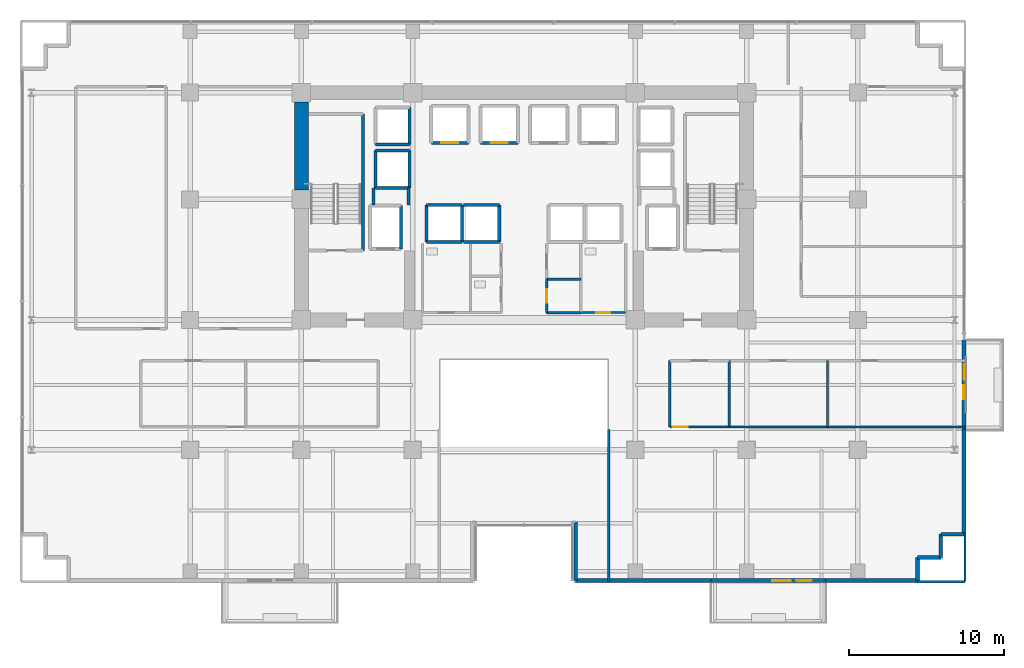
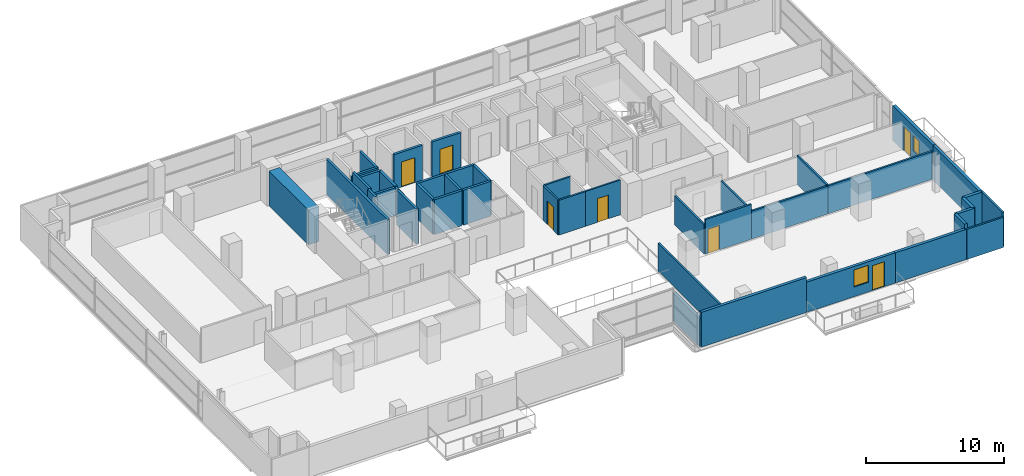
# One storey, part 23 of 30: 43 walls, 7 doors, 2 windows, 9 openings.
"""IFC4 building model written with IfcOpenShell, lengths in metres."""

from ifc_helpers import new_model, si_unit, direction, frame, frame_2d, origin, place, context, subcontext, project, spatial, rectangle, extrude, source, transform, mapped, material, layer, layer_set, type_object, element, fill, save


model = new_model("IFC4")

# Units and contexts
model_context = context("Model", 3, precision=1e-05, world=origin(), true_north=direction((0.0, 1.0)))
body_context = subcontext(model_context, "Body", "Model", "MODEL_VIEW")
ifc_project = project(units=[si_unit("LENGTHUNIT", "METRE"), si_unit("AREAUNIT", "SQUARE_METRE"), si_unit("VOLUMEUNIT", "CUBIC_METRE"), si_unit("PLANEANGLEUNIT", "RADIAN"), si_unit("MASSUNIT", "GRAM", prefix="KILO")], contexts=[model_context])

# Site, building, storey
site_placement = place(None, origin())
site = spatial("IfcSite", under=ifc_project, at=site_placement, CompositionType="ELEMENT")
building_placement = place(site_placement, origin())
building = spatial("IfcBuilding", under=site, at=building_placement, Name="Zarnakvel Exchange Tower", CompositionType="ELEMENT")
storey_placement = place(building_placement, frame((0.0, 0.0, 43.89990234375)))
storey = spatial("IfcBuildingStorey", under=building, at=storey_placement, Name="L11", CompositionType="ELEMENT", Elevation=43.89990234375)

# Wall
ifc_material_1 = material(Name="Concrete C80/95", Category="concrete")
ifc_layer_1 = layer(ifc_material_1, 0.89990234375)
ifc_layer_set_1 = layer_set([ifc_layer_1], Name="Concrete C80/95")
wall_type_1 = type_object("IfcWallType", Name="CW-C1", PredefinedType="SHEAR", material=ifc_layer_set_1)
wall_1_placement = place(storey_placement, frame((-14.39990234375, 7.199951171875, 0.0), z_axis=(0.0, 0.0, 1.0), x_axis=(0.0, 1.0, 0.0)))
element("IfcWall", 1, at=wall_1_placement, inside=storey, type_object=wall_type_1, Name="L11 Rear Core Shear Wall W2 (CW-C1)", PredefinedType="SHEAR", context=body_context, shape_type="SweptSolid", body=[
    extrude(rectangle(XDim=5.699951171875, YDim=0.89990234375, at=frame_2d((2.85009765625, 0.0))), origin(), (0.0, 0.0, 1.0), 3.0751953125),
])

# Wall, openings, door, window
ifc_material_2 = material(Name="Precast concrete C40/50", Category="concrete")
ifc_layer_2 = layer(ifc_material_2, 0.239990234375)
ifc_layer_set_2 = layer_set([ifc_layer_2], Name="Precast concrete C40/50")
wall_type_2 = type_object("IfcWallType", Name="EW-02", PredefinedType="SOLIDWALL", material=ifc_layer_set_2)
wall_2_placement = place(storey_placement, frame((19.5, -18.06005859375, 0.0), z_axis=(0.0, 0.0, 1.0), x_axis=(-1.0, 0.0, 0.0)))
wall_2 = element("IfcWall", 2, at=wall_2_placement, inside=storey, type_object=wall_type_2, Name="L11 Exterior Precast Spandrel Wall EW-BAL-L11-SE (EW-02)", PredefinedType="SOLIDWALL", context=body_context, shape_type="SweptSolid", body=[
    extrude(rectangle(XDim=7.39990234375, YDim=0.239990234375, at=frame_2d((3.699951171875, 0.0))), origin(), (0.0, 0.0, 1.0), 2.6650390625),
])
opening_1_placement = place(wall_2_placement, frame((0.887939453125, 0.0, 0.0)))
opening_1 = element("IfcOpeningElement", 3, at=opening_1_placement, cuts=wall_2, Name="Opening BD-L11-02", PredefinedType="OPENING", context=body_context, shape_type="SweptSolid", body=[
    extrude(rectangle(XDim=1.0, YDim=2.199951171875, at=frame_2d((0.5, 1.10009765625))), frame((0.0, 0.1298828125, 0.0), z_axis=(0.0, -1.0, 0.0), x_axis=(1.0, 0.0, 0.0)), (0.0, 0.0, 1.0), 0.260009765625),
])
opening_2_placement = place(wall_2_placement, frame((2.238037109375, 0.0, 0.85009765625)))
opening_2 = element("IfcOpeningElement", 4, at=opening_2_placement, cuts=wall_2, Name="Opening WN-04", PredefinedType="OPENING", context=body_context, shape_type="SweptSolid", body=[
    extrude(rectangle(XDim=1.199951171875, YDim=1.5, at=frame_2d((0.60009765625, 0.75))), frame((0.0, 0.1298828125, 0.0), z_axis=(0.0, -1.0, 0.0), x_axis=(1.0, 0.0, 0.0)), (0.0, 0.0, 1.0), 0.260009765625),
])
ifc_material_3 = material(Name="Architectural Bronze Anodised Aluminium", Category="aluminium")
door_type_1 = type_object("IfcDoorType", Name="DT-09", OperationType="NOTDEFINED", PredefinedType="DOOR", material=ifc_material_3)
shared_shape_1 = source(origin(), body_context, "Body", "SweptSolid", [
    extrude(rectangle(XDim=1.0, YDim=2.199951171875, at=frame_2d((0.5, 1.10009765625))), frame((0.0, 0.02490234375, 0.0), z_axis=(0.0, -1.0, 0.0), x_axis=(1.0, 0.0, 0.0)), (0.0, 0.0, 1.0), 0.050048828125),
])
door_1_placement = place(opening_1_placement, origin())
door_1 = element("IfcDoor", 5, at=door_1_placement, inside=storey, type_object=door_type_1, Name="L11 Planted Loggia Balcony Door BD-L11-02", OperationType="SINGLE_SWING_RIGHT", OverallHeight=2.199951171875, OverallWidth=1.0, PredefinedType="DOOR", context=body_context, shape_type="MappedRepresentation", body=[
    mapped(shared_shape_1, transform((0.0, 0.0, 0.0), x_axis=(1.0, 0.0, 0.0), y_axis=(0.0, 1.0, 0.0), z_axis=(0.0, 0.0, 1.0), scale=1.0)),
])
fill(opening_1, door_1)
ifc_material_4 = material(Name="Double Low-E Laminated Vision Glass", Category="glass")
window_type_1 = type_object("IfcWindowType", Name="WN-04", PartitioningType="SINGLE_PANEL", PredefinedType="WINDOW", material=ifc_material_4)
shared_shape_2 = source(origin(), body_context, "Body", "SweptSolid", [
    extrude(rectangle(XDim=1.199951171875, YDim=1.5, at=frame_2d((0.60009765625, 0.75))), frame((0.0, 0.030029296875, 0.0), z_axis=(0.0, -1.0, 0.0), x_axis=(1.0, 0.0, 0.0)), (0.0, 0.0, 1.0), 0.06005859375),
])
window_1_placement = place(opening_2_placement, origin())
window_1 = element("IfcWindow", 6, at=window_1_placement, inside=storey, type_object=window_type_1, Name="L11 Loggia Daylight Window (WN-04)", OverallHeight=1.5, OverallWidth=1.199951171875, PartitioningType="SINGLE_PANEL", PredefinedType="WINDOW", context=body_context, shape_type="MappedRepresentation", body=[
    mapped(shared_shape_2, transform((0.0, 0.0, 0.0), x_axis=(1.0, 0.0, 0.0), y_axis=(0.0, 1.0, 0.0), z_axis=(0.0, 0.0, 1.0), scale=1.0)),
])
fill(opening_2, window_1)

wall_3_placement = place(storey_placement, frame((28.4599609375, -2.5, 0.0), z_axis=(0.0, 0.0, 1.0), x_axis=(0.0, -1.0, 0.0)))
wall_3 = element("IfcWall", 7, at=wall_3_placement, inside=storey, type_object=wall_type_2, Name="L11 Exterior Precast Spandrel Wall EW-BAL-L11-E (EW-02)", PredefinedType="SOLIDWALL", context=body_context, shape_type="SweptSolid", body=[
    extrude(rectangle(XDim=5.800048828125, YDim=0.239990234375, at=frame_2d((2.89990234375, 0.0))), origin(), (0.0, 0.0, 1.0), 3.0751953125),
])
opening_3_placement = place(wall_3_placement, frame((1.56591796875, 0.0, 0.0)))
opening_3 = element("IfcOpeningElement", 8, at=opening_3_placement, cuts=wall_3, Name="Opening BD-L11-03", PredefinedType="OPENING", context=body_context, shape_type="SweptSolid", body=[
    extrude(rectangle(XDim=1.0, YDim=2.199951171875, at=frame_2d((0.5, 1.10009765625))), frame((0.0, 0.1298828125, 0.0), z_axis=(0.0, -1.0, 0.0), x_axis=(1.0, 0.0, 0.0)), (0.0, 0.0, 1.0), 0.260009765625),
])
opening_4_placement = place(wall_3_placement, frame((2.916015625, 0.0, 0.85009765625)))
opening_4 = element("IfcOpeningElement", 9, at=opening_4_placement, cuts=wall_3, Name="Opening WN-06", PredefinedType="OPENING", context=body_context, shape_type="SweptSolid", body=[
    extrude(rectangle(XDim=0.89990234375, YDim=1.35009765625, at=frame_2d((0.449951171875, 0.675048828125))), frame((0.0, 0.1298828125, 0.0), z_axis=(0.0, -1.0, 0.0), x_axis=(1.0, 0.0, 0.0)), (0.0, 0.0, 1.0), 0.260009765625),
])
door_2_placement = place(opening_3_placement, origin())
door_2 = element("IfcDoor", 10, at=door_2_placement, inside=storey, type_object=door_type_1, Name="L11 Planted Loggia Balcony Door BD-L11-03", OperationType="SINGLE_SWING_LEFT", OverallHeight=2.199951171875, OverallWidth=1.0, PredefinedType="DOOR", context=body_context, shape_type="MappedRepresentation", body=[
    mapped(shared_shape_1, transform((0.0, 0.0, 0.0), x_axis=(1.0, 0.0, 0.0), y_axis=(0.0, 1.0, 0.0), z_axis=(0.0, 0.0, 1.0), scale=1.0)),
])
fill(opening_3, door_2)
window_type_2 = type_object("IfcWindowType", Name="WN-06", PartitioningType="SINGLE_PANEL", PredefinedType="WINDOW", material=ifc_material_4)
shared_shape_3 = source(origin(), body_context, "Body", "SweptSolid", [
    extrude(rectangle(XDim=0.89990234375, YDim=1.35009765625, at=frame_2d((0.449951171875, 0.675048828125))), frame((0.0, 0.030029296875, 0.0), z_axis=(0.0, -1.0, 0.0), x_axis=(1.0, 0.0, 0.0)), (0.0, 0.0, 1.0), 0.06005859375),
])
window_2_placement = place(opening_4_placement, origin())
window_2 = element("IfcWindow", 11, at=window_2_placement, inside=storey, type_object=window_type_2, Name="L11 Loggia Daylight Window (WN-06)", OverallHeight=1.35009765625, OverallWidth=0.89990234375, PartitioningType="SINGLE_PANEL", PredefinedType="WINDOW", context=body_context, shape_type="MappedRepresentation", body=[
    mapped(shared_shape_3, transform((0.0, 0.0, 0.0), x_axis=(1.0, 0.0, 0.0), y_axis=(0.0, 1.0, 0.0), z_axis=(0.0, 0.0, 1.0), scale=1.0)),
])
fill(opening_4, window_2)

# Walls
wall_4_placement = place(storey_placement, frame((28.4599609375, -15.06005859375, 0.0), z_axis=(0.0, 0.0, 1.0), x_axis=(0.0, 1.0, 0.0)))
element("IfcWall", 12, at=wall_4_placement, inside=storey, type_object=wall_type_2, Name="L11 Exterior Precast Spandrel Wall EWC-L11-10 (EW-02)", PredefinedType="SOLIDWALL", context=body_context, shape_type="SweptSolid", body=[
    extrude(rectangle(XDim=6.760009765625, YDim=0.239990234375, at=frame_2d((3.3798828125, 0.0))), origin(), (0.0, 0.0, 1.0), 3.0751953125),
])
for number, where, z_axis, x_axis, name in (
    (13, (26.9599609375, -15.06005859375, 0.0), (0.0, 0.0, 1.0), (1.0, 0.0, 0.0), "L11 Exterior Precast Spandrel Wall EWC-L11-11 (EW-02)"),
    (14, (26.9599609375, -16.56005859375, 0.0), (0.0, 0.0, 1.0), (0.0, 1.0, 0.0), "L11 Exterior Precast Spandrel Wall EWC-L11-12 (EW-02)"),
    (15, (25.4599609375, -16.56005859375, 0.0), (0.0, 0.0, 1.0), (1.0, 0.0, 0.0), "L11 Exterior Precast Spandrel Wall EWC-L11-13 (EW-02)"),
    (16, (25.4599609375, -18.06005859375, 0.0), (0.0, 0.0, 1.0), (0.0, 1.0, 0.0), "L11 Exterior Precast Spandrel Wall EWC-L11-14 (EW-02)"),
):
    element("IfcWall", number, at=place(storey_placement, frame(where, z_axis=z_axis, x_axis=x_axis)), inside=storey, type_object=wall_type_2, Name=name, PredefinedType="SOLIDWALL", context=body_context, shape_type="SweptSolid", body=[
        extrude(rectangle(XDim=1.5, YDim=0.239990234375, at=frame_2d((0.75, 0.0))), origin(), (0.0, 0.0, 1.0), 3.0751953125),
    ])
wall_5_placement = place(storey_placement, frame((19.5, -18.06005859375, 0.0), z_axis=(0.0, 0.0, 1.0), x_axis=(1.0, 0.0, 0.0)))
element("IfcWall", 17, at=wall_5_placement, inside=storey, type_object=wall_type_2, Name="L11 Exterior Precast Spandrel Wall EWC-L11-15 (EW-02)", PredefinedType="SOLIDWALL", context=body_context, shape_type="SweptSolid", body=[
    extrude(rectangle(XDim=5.9599609375, YDim=0.239990234375, at=frame_2d((2.97998046875, 0.0))), origin(), (0.0, 0.0, 1.0), 2.6650390625),
])
wall_6_placement = place(storey_placement, frame((3.340087890625, -18.06005859375, 0.0), z_axis=(0.0, 0.0, 1.0), x_axis=(1.0, 0.0, 0.0)))
element("IfcWall", 18, at=wall_6_placement, inside=storey, type_object=wall_type_2, Name="L11 Exterior Precast Spandrel Wall EWC-L11-16 (EW-02)", PredefinedType="SOLIDWALL", context=body_context, shape_type="SweptSolid", body=[
    extrude(rectangle(XDim=8.760009765625, YDim=0.239990234375, at=frame_2d((4.3798828125, 0.0))), origin(), (0.0, 0.0, 1.0), 3.0751953125),
])
wall_7_placement = place(storey_placement, frame((3.340087890625, -14.260009765625, 0.0), z_axis=(0.0, 0.0, 1.0), x_axis=(0.0, -1.0, 0.0)))
element("IfcWall", 19, at=wall_7_placement, inside=storey, type_object=wall_type_2, Name="L11 Exterior Precast Spandrel Wall EWC-L11-17 (EW-02)", PredefinedType="SOLIDWALL", context=body_context, shape_type="SweptSolid", body=[
    extrude(rectangle(XDim=3.800048828125, YDim=0.239990234375, at=frame_2d((1.89990234375, 0.0))), origin(), (0.0, 0.0, 1.0), 2.465087890625),
])
ifc_material_5 = material(Name="Fire-Rated Gypsum Stud Partition", Category="gypsum")
ifc_layer_3 = layer(ifc_material_5, 0.14990234375)
ifc_layer_set_3 = layer_set([ifc_layer_3], Name="Fire-Rated Gypsum Stud Partition")
wall_type_3 = type_object("IfcWallType", Name="PT-01", PredefinedType="PARTITIONING", material=ifc_layer_set_3)
for number, where, z_axis, x_axis, name in (
    (20, (3.679931640625, -0.72998046875, 0.0), (0.0, 0.0, 1.0), (-1.0, 0.0, 0.0), "L11 Partition Wall PWALL-L11-018 (PT-01)"),
    (21, (1.469970703125, 1.429931640625, 0.0), (0.0, 0.0, 1.0), (1.0, 0.0, 0.0), "L11 Partition Wall PWALL-L11-019 (PT-01)"),
):
    element("IfcWall", number, at=place(storey_placement, frame(where, z_axis=z_axis, x_axis=x_axis)), inside=storey, type_object=wall_type_3, Name=name, PredefinedType="PARTITIONING", context=body_context, shape_type="SweptSolid", body=[
        extrude(rectangle(XDim=2.2099609375, YDim=0.14990234375, at=frame_2d((1.10498046875, 0.0))), origin(), (0.0, 0.0, 1.0), 3.0751953125),
    ])

# Wall, opening, door
wall_8_placement = place(storey_placement, frame((1.469970703125, -0.72998046875, 0.0), z_axis=(0.0, 0.0, 1.0), x_axis=(0.0, 1.0, 0.0)))
wall_8 = element("IfcWall", 22, at=wall_8_placement, inside=storey, type_object=wall_type_3, Name="L11 Partition Wall PWALL-L11-020 (PT-01)", PredefinedType="PARTITIONING", context=body_context, shape_type="SweptSolid", body=[
    extrude(rectangle(XDim=2.159912109375, YDim=0.14990234375, at=frame_2d((1.080078125, 0.0))), origin(), (0.0, 0.0, 1.0), 3.0751953125),
])
opening_5_placement = place(wall_8_placement, frame((0.639892578125, 0.0, 0.0)))
opening_5 = element("IfcOpeningElement", 23, at=opening_5_placement, cuts=wall_8, Name="Opening D-L11-08", PredefinedType="OPENING", context=body_context, shape_type="SweptSolid", body=[
    extrude(rectangle(XDim=0.8798828125, YDim=2.10009765625, at=frame_2d((0.43994140625, 1.050048828125))), frame((0.0, 0.0849609375, 0.0), z_axis=(0.0, -1.0, 0.0), x_axis=(1.0, 0.0, 0.0)), (0.0, 0.0, 1.0), 0.169921875),
])
ifc_material_6 = material(Name="Painted Galvanised Steel S355", Category="steel")
door_type_2 = type_object("IfcDoorType", Name="DT-08", OperationType="NOTDEFINED", PredefinedType="DOOR", material=ifc_material_6)
shared_shape_4 = source(origin(), body_context, "Body", "SweptSolid", [
    extrude(rectangle(XDim=0.8798828125, YDim=2.10009765625, at=frame_2d((0.43994140625, 1.050048828125))), frame((0.0, 0.02490234375, 0.0), z_axis=(0.0, -1.0, 0.0), x_axis=(1.0, 0.0, 0.0)), (0.0, 0.0, 1.0), 0.050048828125),
])
door_3_placement = place(opening_5_placement, origin())
door_3 = element("IfcDoor", 24, at=door_3_placement, inside=storey, type_object=door_type_2, Name="L11 Janitor Store Door D-L11-08", OperationType="SINGLE_SWING_RIGHT", OverallHeight=2.10009765625, OverallWidth=0.8798828125, PredefinedType="DOOR", context=body_context, shape_type="MappedRepresentation", body=[
    mapped(shared_shape_4, transform((0.0, 0.0, 0.0), x_axis=(1.0, 0.0, 0.0), y_axis=(0.0, 1.0, 0.0), z_axis=(0.0, 0.0, 1.0), scale=1.0)),
])
fill(opening_5, door_3)

wall_9_placement = place(storey_placement, frame((13.26806640625, -8.1201171875, 0.0), z_axis=(0.0, 0.0, 1.0), x_axis=(-1.0, 0.0, 0.0)))
wall_9 = element("IfcWall", 25, at=wall_9_placement, inside=storey, type_object=wall_type_3, Name="L11 Partition Wall PWALL-L11-036 (PT-01)", PredefinedType="PARTITIONING", context=body_context, shape_type="SweptSolid", body=[
    extrude(rectangle(XDim=3.838134765625, YDim=0.14990234375, at=frame_2d((1.9189453125, 0.0))), origin(), (0.0, 0.0, 1.0), 3.0751953125),
])
opening_6_placement = place(wall_9_placement, frame((2.677978515625, 0.0, 0.0)))
opening_6 = element("IfcOpeningElement", 26, at=opening_6_placement, cuts=wall_9, Name="Opening D-L11-17", PredefinedType="OPENING", context=body_context, shape_type="SweptSolid", body=[
    extrude(rectangle(XDim=0.97998046875, YDim=2.14990234375, at=frame_2d((0.489990234375, 1.074951171875))), frame((0.0, 0.0849609375, 0.0), z_axis=(0.0, -1.0, 0.0), x_axis=(1.0, 0.0, 0.0)), (0.0, 0.0, 1.0), 0.169921875),
])
ifc_material_7 = material(Name="Timber Acoustic Veneer", Category="wood")
door_type_3 = type_object("IfcDoorType", Name="DT-05", OperationType="NOTDEFINED", PredefinedType="DOOR", material=ifc_material_7)
shared_shape_5 = source(origin(), body_context, "Body", "SweptSolid", [
    extrude(rectangle(XDim=0.97998046875, YDim=2.14990234375, at=frame_2d((0.489990234375, 1.074951171875))), frame((0.0, 0.02490234375, 0.0), z_axis=(0.0, -1.0, 0.0), x_axis=(1.0, 0.0, 0.0)), (0.0, 0.0, 1.0), 0.050048828125),
])
door_4_placement = place(opening_6_placement, origin())
door_4 = element("IfcDoor", 27, at=door_4_placement, inside=storey, type_object=door_type_3, Name="L11 Quant Research Office Door D-L11-17", OperationType="SINGLE_SWING_LEFT", OverallHeight=2.14990234375, OverallWidth=0.97998046875, PredefinedType="DOOR", context=body_context, shape_type="MappedRepresentation", body=[
    mapped(shared_shape_5, transform((0.0, 0.0, 0.0), x_axis=(1.0, 0.0, 0.0), y_axis=(0.0, 1.0, 0.0), z_axis=(0.0, 0.0, 1.0), scale=1.0)),
])
fill(opening_6, door_4)

# Walls
for number, where, z_axis, x_axis, name in (
    (28, (9.429931640625, -8.1201171875, 0.0), (0.0, 0.0, 1.0), (0.0, 1.0, 0.0), "L11 Partition Wall PWALL-L11-038 (PT-01)"),
    (29, (13.26806640625, -3.830078125, 0.0), (0.0, 0.0, 1.0), (0.0, -1.0, 0.0), "L11 Partition Wall PWALL-L11-039 (PT-01)"),
):
    element("IfcWall", number, at=place(storey_placement, frame(where, z_axis=z_axis, x_axis=x_axis)), inside=storey, type_object=wall_type_3, Name=name, PredefinedType="PARTITIONING", context=body_context, shape_type="SweptSolid", body=[
        extrude(rectangle(XDim=4.2900390625, YDim=0.14990234375, at=frame_2d((2.14501953125, 0.0))), origin(), (0.0, 0.0, 1.0), 2.565185546875),
    ])
wall_10_placement = place(storey_placement, frame((19.634765625, -8.1201171875, 0.0), z_axis=(0.0, 0.0, 1.0), x_axis=(-1.0, 0.0, 0.0)))
element("IfcWall", 30, at=wall_10_placement, inside=storey, type_object=wall_type_3, Name="L11 Partition Wall PWALL-L11-040 (PT-01)", PredefinedType="PARTITIONING", context=body_context, shape_type="SweptSolid", body=[
    extrude(rectangle(XDim=6.36669921875, YDim=0.14990234375, at=frame_2d((3.183349609375, 0.0))), origin(), (0.0, 0.0, 1.0), 2.465087890625),
])
wall_11_placement = place(storey_placement, frame((19.634765625, -3.830078125, 0.0), z_axis=(0.0, 0.0, 1.0), x_axis=(0.0, -1.0, 0.0)))
element("IfcWall", 31, at=wall_11_placement, inside=storey, type_object=wall_type_3, Name="L11 Partition Wall PWALL-L11-042 (PT-01)", PredefinedType="PARTITIONING", context=body_context, shape_type="SweptSolid", body=[
    extrude(rectangle(XDim=4.2900390625, YDim=0.14990234375, at=frame_2d((2.14501953125, 0.0))), origin(), (0.0, 0.0, 1.0), 2.565185546875),
])
wall_12_placement = place(storey_placement, frame((28.530029296875, -8.1201171875, 0.0), z_axis=(0.0, 0.0, 1.0), x_axis=(-1.0, 0.0, 0.0)))
element("IfcWall", 32, at=wall_12_placement, inside=storey, type_object=wall_type_3, Name="L11 Partition Wall PWALL-L11-043 (PT-01)", PredefinedType="PARTITIONING", context=body_context, shape_type="SweptSolid", body=[
    extrude(rectangle(XDim=8.895263671875, YDim=0.14990234375, at=frame_2d((4.44775390625, 0.0))), origin(), (0.0, 0.0, 1.0), 2.465087890625),
])
wall_13_placement = place(storey_placement, frame((28.530029296875, -18.1298828125, 0.0), z_axis=(0.0, 0.0, 1.0), x_axis=(-1.0, 0.0, 0.0)))
element("IfcWall", 33, at=wall_13_placement, inside=storey, type_object=wall_type_3, Name="L11 Partition Wall PWALL-L11-046 (PT-01)", PredefinedType="PARTITIONING", context=body_context, shape_type="SweptSolid", body=[
    extrude(rectangle(XDim=3.070068359375, YDim=0.14990234375, at=frame_2d((1.53515625, 0.0))), origin(), (0.0, 0.0, 1.0), 2.6650390625),
])
wall_14_placement = place(storey_placement, frame((5.47998046875, -18.1298828125, 0.0), z_axis=(0.0, 0.0, 1.0), x_axis=(0.0, 1.0, 0.0)))
element("IfcWall", 34, at=wall_14_placement, inside=storey, type_object=wall_type_3, Name="L11 Partition Wall PWALL-L11-047 (PT-01)", PredefinedType="PARTITIONING", context=body_context, shape_type="SweptSolid", body=[
    extrude(rectangle(XDim=9.849853515625, YDim=0.14990234375, at=frame_2d((4.9248046875, 0.0))), origin(), (0.0, 0.0, 1.0), 2.465087890625),
])
wall_15_placement = place(storey_placement, frame((28.530029296875, -15.06005859375, 0.0), z_axis=(0.0, 0.0, 1.0), x_axis=(0.0, -1.0, 0.0)))
element("IfcWall", 35, at=wall_15_placement, inside=storey, type_object=wall_type_3, Name="L11 Partition Wall PWALL-L11-048 (PT-01)", PredefinedType="PARTITIONING", context=body_context, shape_type="SweptSolid", body=[
    extrude(rectangle(XDim=3.06982421875, YDim=0.14990234375, at=frame_2d((1.534912109375, 0.0))), origin(), (0.0, 0.0, 1.0), 3.0751953125),
])
ifc_layer_4 = layer(ifc_material_5, 0.179931640625)
ifc_layer_set_4 = layer_set([ifc_layer_4], Name="Fire-Rated Gypsum Stud Partition")
wall_type_4 = type_object("IfcWallType", Name="PT-02", PredefinedType="PARTITIONING", material=ifc_layer_set_4)
wall_16_placement = place(storey_placement, frame((-9.72998046875, 6.239990234375, 0.0), z_axis=(0.0, 0.0, 1.0), x_axis=(0.0, 1.0, 0.0)))
element("IfcWall", 36, at=wall_16_placement, inside=storey, type_object=wall_type_4, Name="L11 Partition Wall PWALL-L11-007 (PT-02)", PredefinedType="PARTITIONING", context=body_context, shape_type="SweptSolid", body=[
    extrude(rectangle(XDim=1.090087890625, YDim=0.179931640625, at=frame_2d((0.544921875, 0.0))), origin(), (0.0, 0.0, 1.0), 3.0751953125),
])
wall_17_placement = place(storey_placement, frame((-7.469970703125, 7.330078125, 0.0), z_axis=(0.0, 0.0, 1.0), x_axis=(0.0, -1.0, 0.0)))
element("IfcWall", 37, at=wall_17_placement, inside=storey, type_object=wall_type_4, Name="L11 Partition Wall PWALL-L11-008 (PT-02)", PredefinedType="PARTITIONING", context=body_context, shape_type="SweptSolid", body=[
    extrude(rectangle(XDim=1.090087890625, YDim=0.179931640625, at=frame_2d((0.544921875, 0.0))), origin(), (0.0, 0.0, 1.0), 2.465087890625),
])

# Wall, opening, door
ifc_material_8 = material(Name="Moisture-Resistant Tile-Faced Partition", Category="gypsum")
ifc_layer_5 = layer(ifc_material_8, 0.135009765625)
ifc_layer_set_5 = layer_set([ifc_layer_5], Name="Moisture-Resistant Tile-Faced Partition")
wall_type_5 = type_object("IfcWallType", Name="PT-03", PredefinedType="PARTITIONING", material=ifc_layer_set_5)
wall_18_placement = place(storey_placement, frame((6.580078125, -0.72998046875, 0.0), z_axis=(0.0, 0.0, 1.0), x_axis=(-1.0, 0.0, 0.0)))
wall_18 = element("IfcWall", 38, at=wall_18_placement, inside=storey, type_object=wall_type_5, Name="L11 Partition Wall PWALL-L11-024 (PT-03)", PredefinedType="PARTITIONING", context=body_context, shape_type="SweptSolid", body=[
    extrude(rectangle(XDim=2.900146484375, YDim=0.135009765625, at=frame_2d((1.4501953125, 0.0))), origin(), (0.0, 0.0, 1.0), 3.0751953125),
])
opening_7_placement = place(wall_18_placement, frame((0.989990234375, 0.0, 0.0)))
opening_7 = element("IfcOpeningElement", 39, at=opening_7_placement, cuts=wall_18, Name="Opening D-L11-10", PredefinedType="OPENING", context=body_context, shape_type="SweptSolid", body=[
    extrude(rectangle(XDim=0.919921875, YDim=2.10009765625, at=frame_2d((0.4599609375, 1.050048828125))), frame((0.0, 0.077392578125, 0.0), z_axis=(0.0, -1.0, 0.0), x_axis=(1.0, 0.0, 0.0)), (0.0, 0.0, 1.0), 0.155029296875),
])
ifc_material_9 = material(Name="Moisture-Resistant Laminate Timber", Category="wood")
door_type_4 = type_object("IfcDoorType", Name="DT-07", OperationType="NOTDEFINED", PredefinedType="DOOR", material=ifc_material_9)
shared_shape_6 = source(origin(), body_context, "Body", "SweptSolid", [
    extrude(rectangle(XDim=0.919921875, YDim=2.10009765625, at=frame_2d((0.4599609375, 1.050048828125))), frame((0.0, 0.02490234375, 0.0), z_axis=(0.0, -1.0, 0.0), x_axis=(1.0, 0.0, 0.0)), (0.0, 0.0, 1.0), 0.050048828125),
])
door_5_placement = place(opening_7_placement, origin())
door_5 = element("IfcDoor", 40, at=door_5_placement, inside=storey, type_object=door_type_4, Name="L11 Female Toilet Door D-L11-10", OperationType="SINGLE_SWING_RIGHT", OverallHeight=2.10009765625, OverallWidth=0.919921875, PredefinedType="DOOR", context=body_context, shape_type="MappedRepresentation", body=[
    mapped(shared_shape_6, transform((0.0, 0.0, 0.0), x_axis=(1.0, 0.0, 0.0), y_axis=(0.0, 1.0, 0.0), z_axis=(0.0, 0.0, 1.0), scale=1.0)),
])
fill(opening_7, door_5)

# Wall
ifc_material_10 = material(Name="Concrete C40/50", Category="concrete")
ifc_layer_6 = layer(ifc_material_10, 0.199951171875)
ifc_layer_set_6 = layer_set([ifc_layer_6], Name="Concrete C40/50")
wall_type_6 = type_object("IfcWallType", Name="SW-01", PredefinedType="SOLIDWALL", material=ifc_layer_set_6)
wall_19_placement = place(storey_placement, frame((-7.949951171875, 6.199951171875, 0.0), z_axis=(0.0, 0.0, 1.0), x_axis=(0.0, -1.0, 0.0)))
element("IfcWall", 41, at=wall_19_placement, inside=storey, type_object=wall_type_6, Name="L11 FL-01 Hoistway Wall East", PredefinedType="SOLIDWALL", context=body_context, shape_type="SweptSolid", body=[
    extrude(rectangle(XDim=2.800048828125, YDim=0.199951171875, at=frame_2d((1.39990234375, 0.0))), origin(), (0.0, 0.0, 1.0), 3.0751953125),
])

# Wall, opening, door
wall_20_placement = place(storey_placement, frame((-3.60009765625, 10.25, 0.0), z_axis=(0.0, 0.0, 1.0), x_axis=(-1.0, 0.0, 0.0)))
wall_20 = element("IfcWall", 42, at=wall_20_placement, inside=storey, type_object=wall_type_6, Name="L11 PL-01 Hoistway Wall South", PredefinedType="SOLIDWALL", context=body_context, shape_type="SweptSolid", body=[
    extrude(rectangle(XDim=2.39990234375, YDim=0.199951171875, at=frame_2d((1.199951171875, 0.0))), origin(), (0.0, 0.0, 1.0), 3.0751953125),
])
opening_8_placement = place(wall_20_placement, frame((0.64990234375, 0.0, 0.0)))
opening_8 = element("IfcOpeningElement", 43, at=opening_8_placement, cuts=wall_20, Name="Opening LD-PL-01-L11", PredefinedType="OPENING", context=body_context, shape_type="SweptSolid", body=[
    extrude(rectangle(XDim=1.10009765625, YDim=2.199951171875, at=frame_2d((0.550048828125, 1.10009765625))), frame((0.0, 0.10986328125, 0.0), z_axis=(0.0, -1.0, 0.0), x_axis=(1.0, 0.0, 0.0)), (0.0, 0.0, 1.0), 0.219970703125),
])
door_type_5 = type_object("IfcDoorType", Name="LDT-02", OperationType="NOTDEFINED", PredefinedType="DOOR", material=ifc_material_3)
shared_shape_7 = source(origin(), body_context, "Body", "SweptSolid", [
    extrude(rectangle(XDim=1.10009765625, YDim=2.199951171875, at=frame_2d((0.550048828125, 1.10009765625))), frame((0.0, 0.02490234375, 0.0), z_axis=(0.0, -1.0, 0.0), x_axis=(1.0, 0.0, 0.0)), (0.0, 0.0, 1.0), 0.050048828125),
])
door_6_placement = place(opening_8_placement, origin())
door_6 = element("IfcDoor", 44, at=door_6_placement, inside=storey, type_object=door_type_5, Name="L11 PL-01 Lift Landing Door LD-PL-01-L11", OperationType="DOUBLE_DOOR_SLIDING", OverallHeight=2.199951171875, OverallWidth=1.10009765625, PredefinedType="DOOR", context=body_context, shape_type="MappedRepresentation", body=[
    mapped(shared_shape_7, transform((0.0, 0.0, 0.0), x_axis=(1.0, 0.0, 0.0), y_axis=(0.0, 1.0, 0.0), z_axis=(0.0, 0.0, 1.0), scale=1.0)),
])
fill(opening_8, door_6)

wall_21_placement = place(storey_placement, frame((-0.39990234375, 10.25, 0.0), z_axis=(0.0, 0.0, 1.0), x_axis=(-1.0, 0.0, 0.0)))
wall_21 = element("IfcWall", 45, at=wall_21_placement, inside=storey, type_object=wall_type_6, Name="L11 PL-02 Hoistway Wall South", PredefinedType="SOLIDWALL", context=body_context, shape_type="SweptSolid", body=[
    extrude(rectangle(XDim=2.400146484375, YDim=0.199951171875, at=frame_2d((1.2001953125, 0.0))), origin(), (0.0, 0.0, 1.0), 3.0751953125),
])
opening_9_placement = place(wall_21_placement, frame((0.64990234375, 0.0, 0.0)))
opening_9 = element("IfcOpeningElement", 46, at=opening_9_placement, cuts=wall_21, Name="Opening LD-PL-02-L11", PredefinedType="OPENING", context=body_context, shape_type="SweptSolid", body=[
    extrude(rectangle(XDim=1.10009765625, YDim=2.199951171875, at=frame_2d((0.550048828125, 1.10009765625))), frame((0.0, 0.10986328125, 0.0), z_axis=(0.0, -1.0, 0.0), x_axis=(1.0, 0.0, 0.0)), (0.0, 0.0, 1.0), 0.219970703125),
])
door_7_placement = place(opening_9_placement, origin())
door_7 = element("IfcDoor", 47, at=door_7_placement, inside=storey, type_object=door_type_5, Name="L11 PL-02 Lift Landing Door LD-PL-02-L11", OperationType="DOUBLE_DOOR_SLIDING", OverallHeight=2.199951171875, OverallWidth=1.10009765625, PredefinedType="DOOR", context=body_context, shape_type="MappedRepresentation", body=[
    mapped(shared_shape_7, transform((0.0, 0.0, 0.0), x_axis=(1.0, 0.0, 0.0), y_axis=(0.0, 1.0, 0.0), z_axis=(0.0, 0.0, 1.0), scale=1.0)),
])
fill(opening_9, door_7)

# Walls
for number, where, z_axis, x_axis, name in (
    (48, (-4.0, 3.85009765625, 0.0), (0.0, 0.0, 1.0), (-1.0, 0.0, 0.0), "L11 PL-05 Hoistway Wall South"),
    (49, (-6.300048828125, 6.25, 0.0), (0.0, 0.0, 1.0), (1.0, 0.0, 0.0), "L11 PL-05 Hoistway Wall North"),
):
    element("IfcWall", number, at=place(storey_placement, frame(where, z_axis=z_axis, x_axis=x_axis)), inside=storey, type_object=wall_type_6, Name=name, PredefinedType="SOLIDWALL", context=body_context, shape_type="SweptSolid", body=[
        extrude(rectangle(XDim=2.300048828125, YDim=0.199951171875, at=frame_2d((1.14990234375, 0.0))), origin(), (0.0, 0.0, 1.0), 3.0751953125),
    ])
for number, where, z_axis, x_axis, name in (
    (50, (-6.300048828125, 3.85009765625, 0.0), (0.0, 0.0, 1.0), (0.0, 1.0, 0.0), "L11 PL-05 Hoistway Wall West"),
    (51, (-4.0, 6.25, 0.0), (0.0, 0.0, 1.0), (0.0, -1.0, 0.0), "L11 PL-05 Hoistway Wall East"),
):
    element("IfcWall", number, at=place(storey_placement, frame(where, z_axis=z_axis, x_axis=x_axis)), inside=storey, type_object=wall_type_6, Name=name, PredefinedType="SOLIDWALL", context=body_context, shape_type="SweptSolid", body=[
        extrude(rectangle(XDim=2.39990234375, YDim=0.199951171875, at=frame_2d((1.199951171875, 0.0))), origin(), (0.0, 0.0, 1.0), 3.0751953125),
    ])
for number, where, z_axis, x_axis, name in (
    (52, (-1.60009765625, 3.85009765625, 0.0), (0.0, 0.0, 1.0), (-1.0, 0.0, 0.0), "L11 PL-06 Hoistway Wall South"),
    (53, (-3.89990234375, 6.25, 0.0), (0.0, 0.0, 1.0), (1.0, 0.0, 0.0), "L11 PL-06 Hoistway Wall North"),
):
    element("IfcWall", number, at=place(storey_placement, frame(where, z_axis=z_axis, x_axis=x_axis)), inside=storey, type_object=wall_type_6, Name=name, PredefinedType="SOLIDWALL", context=body_context, shape_type="SweptSolid", body=[
        extrude(rectangle(XDim=2.2998046875, YDim=0.199951171875, at=frame_2d((1.14990234375, 0.0))), origin(), (0.0, 0.0, 1.0), 3.0751953125),
    ])
wall_22_placement = place(storey_placement, frame((-1.60009765625, 6.25, 0.0), z_axis=(0.0, 0.0, 1.0), x_axis=(0.0, -1.0, 0.0)))
element("IfcWall", 54, at=wall_22_placement, inside=storey, type_object=wall_type_6, Name="L11 PL-06 Hoistway Wall East", PredefinedType="SOLIDWALL", context=body_context, shape_type="SweptSolid", body=[
    extrude(rectangle(XDim=2.39990234375, YDim=0.199951171875, at=frame_2d((1.199951171875, 0.0))), origin(), (0.0, 0.0, 1.0), 3.0751953125),
])
for number, where, z_axis, x_axis, name in (
    (55, (-7.39990234375, 7.35009765625, 0.0), (0.0, 0.0, 1.0), (-1.0, 0.0, 0.0), "L11 PL-09 Hoistway Wall South"),
    (56, (-9.60009765625, 9.75, 0.0), (0.0, 0.0, 1.0), (1.0, 0.0, 0.0), "L11 PL-09 Hoistway Wall North"),
):
    element("IfcWall", number, at=place(storey_placement, frame(where, z_axis=z_axis, x_axis=x_axis)), inside=storey, type_object=wall_type_6, Name=name, PredefinedType="SOLIDWALL", context=body_context, shape_type="SweptSolid", body=[
        extrude(rectangle(XDim=2.2001953125, YDim=0.199951171875, at=frame_2d((1.10009765625, 0.0))), origin(), (0.0, 0.0, 1.0), 2.465087890625),
    ])
wall_23_placement = place(storey_placement, frame((-9.60009765625, 7.35009765625, 0.0), z_axis=(0.0, 0.0, 1.0), x_axis=(0.0, 1.0, 0.0)))
element("IfcWall", 57, at=wall_23_placement, inside=storey, type_object=wall_type_6, Name="L11 PL-09 Hoistway Wall West", PredefinedType="SOLIDWALL", context=body_context, shape_type="SweptSolid", body=[
    extrude(rectangle(XDim=2.39990234375, YDim=0.199951171875, at=frame_2d((1.199951171875, 0.0))), origin(), (0.0, 0.0, 1.0), 3.0751953125),
])
wall_24_placement = place(storey_placement, frame((-7.39990234375, 9.75, 0.0), z_axis=(0.0, 0.0, 1.0), x_axis=(0.0, -1.0, 0.0)))
element("IfcWall", 58, at=wall_24_placement, inside=storey, type_object=wall_type_6, Name="L11 PL-09 Hoistway Wall East", PredefinedType="SOLIDWALL", context=body_context, shape_type="SweptSolid", body=[
    extrude(rectangle(XDim=2.39990234375, YDim=0.199951171875, at=frame_2d((1.199951171875, 0.0))), origin(), (0.0, 0.0, 1.0), 2.465087890625),
])
wall_25_placement = place(storey_placement, frame((-7.39990234375, 10.14990234375, 0.0), z_axis=(0.0, 0.0, 1.0), x_axis=(-1.0, 0.0, 0.0)))
element("IfcWall", 59, at=wall_25_placement, inside=storey, type_object=wall_type_6, Name="L11 PL-10 Hoistway Wall South", PredefinedType="SOLIDWALL", context=body_context, shape_type="SweptSolid", body=[
    extrude(rectangle(XDim=2.2001953125, YDim=0.199951171875, at=frame_2d((1.10009765625, 0.0))), origin(), (0.0, 0.0, 1.0), 2.465087890625),
])
wall_26_placement = place(storey_placement, frame((-7.39990234375, 12.550048828125, 0.0), z_axis=(0.0, 0.0, 1.0), x_axis=(0.0, -1.0, 0.0)))
element("IfcWall", 60, at=wall_26_placement, inside=storey, type_object=wall_type_6, Name="L11 PL-10 Hoistway Wall East", PredefinedType="SOLIDWALL", context=body_context, shape_type="SweptSolid", body=[
    extrude(rectangle(XDim=2.400146484375, YDim=0.199951171875, at=frame_2d((1.2001953125, 0.0))), origin(), (0.0, 0.0, 1.0), 2.465087890625),
])
ifc_layer_7 = layer(ifc_material_10, 0.199951171875)
ifc_layer_set_7 = layer_set([ifc_layer_7], Name="Concrete C40/50")
wall_type_7 = type_object("IfcWallType", Name="SW-02", PredefinedType="SOLIDWALL", material=ifc_layer_set_7)
wall_27_placement = place(storey_placement, frame((-10.409912109375, 12.1298828125, 0.0), z_axis=(0.0, 0.0, 1.0), x_axis=(0.0, -1.0, 0.0)))
element("IfcWall", 61, at=wall_27_placement, inside=storey, type_object=wall_type_7, Name="L11 Stairwell Core Wall PWALL-L11-003 (SW-02)", PredefinedType="SOLIDWALL", context=body_context, shape_type="SweptSolid", body=[
    extrude(rectangle(XDim=8.83984375, YDim=0.199951171875, at=frame_2d((4.419921875, 0.0))), origin(), (0.0, 0.0, 1.0), 3.0751953125),
])

save(model, "model.ifc")
